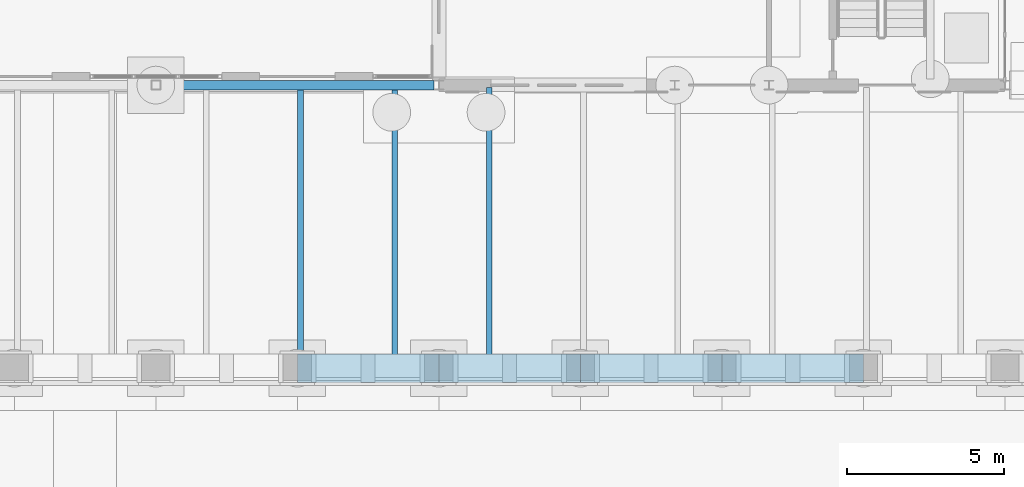
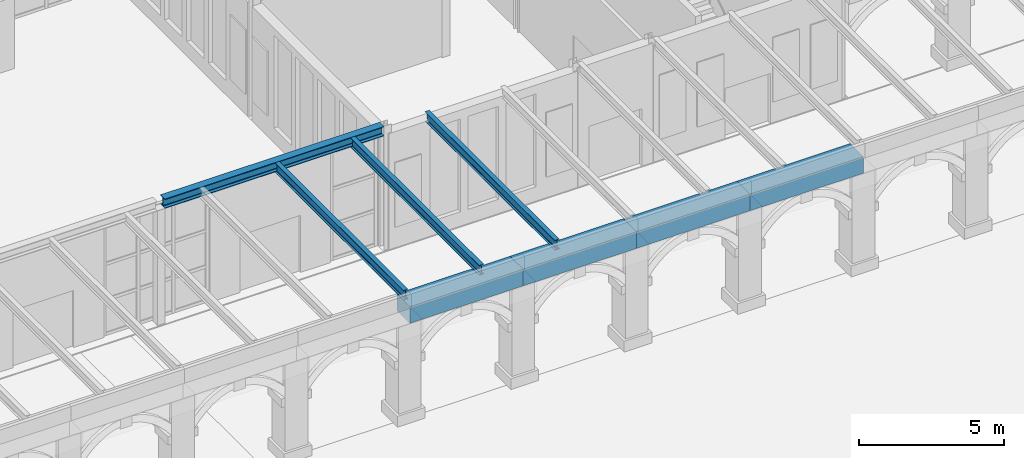
# One storey, part 43 of 168: 8 beams.
"""IFC4 building model written with IfcOpenShell, lengths in metres."""

import ifcopenshell
import ifcopenshell.guid

model = None  # the IFC model being written
_history = None  # IfcOwnerHistory: only IFC2X3 demands one
_inside = {}  # id of a spatial element -> (the spatial element, [elements in it])
_under = {}  # id of a project, library or spatial element -> (it, [spatial elements below it])
_declared = {}  # id of a project -> (the project, [libraries it declares])
_typed = {}  # id of a type object -> (the type object, [elements of that type])
_made_of = {}  # id of a material, layer set ... -> (it, [elements and type objects made of it])


def new_model(schema):
    """Start an empty IFC model of exactly this schema.

    Asked for "IFC4X3", IfcOpenShell would pick the latest addendum, in which some entities
    have other attributes; the version numbers below select the first issue.
    IFC2X3 requires an IfcOwnerHistory on every rooted entity: one is made here for all.
    """
    global model, _history
    if schema == "IFC4X3":
        model = ifcopenshell.file(schema_version=(4, 3, 0, 0))
    else:
        model = ifcopenshell.file(schema=schema)
    _inside.clear()
    _under.clear()
    _declared.clear()
    _typed.clear()
    _made_of.clear()
    _history = None
    if model.schema == "IFC2X3":
        org = make("IfcOrganization", Name="unknown")
        user = make(
            "IfcPersonAndOrganization",
            ThePerson=make("IfcPerson", FamilyName="unknown"),
            TheOrganization=org,
        )
        app = make(
            "IfcApplication",
            ApplicationDeveloper=org,
            Version="unknown",
            ApplicationFullName="unknown",
            ApplicationIdentifier="unknown",
        )
        _history = make(
            "IfcOwnerHistory",
            OwningUser=user,
            OwningApplication=app,
            ChangeAction="ADDED",
            CreationDate=0,
        )
    return model


def make(cls, **values):
    """One entity of the class cls with the attributes given. An attribute that is None is left unset."""
    return model.create_entity(
        cls, **{name: value for name, value in values.items() if value is not None}
    )


def rooted(cls, **values):
    """An entity with a GlobalId (a new one), such as an element, a storey or a relation."""
    return make(cls, GlobalId=ifcopenshell.guid.new(), OwnerHistory=_history, **values)


def si_unit(unit_type, name, prefix=None):
    """IfcSIUnit, for example si_unit("LENGTHUNIT", "METRE", prefix="MILLI")."""
    return make("IfcSIUnit", UnitType=unit_type, Prefix=prefix, Name=name)


def assignment(units):
    """IfcUnitAssignment: the units of a project."""
    return None if units is None else make("IfcUnitAssignment", Units=units)


def point(xyz):
    """IfcCartesianPoint."""
    return None if xyz is None else make("IfcCartesianPoint", Coordinates=xyz)


def direction(xyz):
    """IfcDirection."""
    return None if xyz is None else make("IfcDirection", DirectionRatios=xyz)


def frame(location, z_axis=None, x_axis=None):
    """IfcAxis2Placement3D, a coordinate frame: its origin and axes. An axis left out is left unset."""
    return make(
        "IfcAxis2Placement3D",
        Location=point(location),
        Axis=direction(z_axis),
        RefDirection=direction(x_axis),
    )


def frame_2d(location, x_axis=None):
    """IfcAxis2Placement2D, a coordinate frame in the plane: its origin and x axis."""
    return make(
        "IfcAxis2Placement2D", Location=point(location), RefDirection=direction(x_axis)
    )


def origin():
    """The frame at (0, 0, 0) with its axes left unset."""
    return frame((0.0, 0.0, 0.0))


def origin_2d():
    """The frame at (0, 0) in the plane with its x axis left unset."""
    return frame_2d((0.0, 0.0))


def place(relative_to, where):
    """IfcLocalPlacement: puts the frame where relative to a parent placement (None: the world)."""
    return make(
        "IfcLocalPlacement", PlacementRelTo=relative_to, RelativePlacement=where
    )


def context(
    kind, dimensions, precision=None, world=None, true_north=None, identifier=None
):
    """IfcGeometricRepresentationContext, for example the 3D "Model" context."""
    return make(
        "IfcGeometricRepresentationContext",
        ContextIdentifier=identifier,
        ContextType=kind,
        CoordinateSpaceDimension=dimensions,
        Precision=precision,
        WorldCoordinateSystem=world,
        TrueNorth=true_north,
    )


def subcontext(parent, identifier, kind, view, scale=None):
    """IfcGeometricRepresentationSubContext, for example "Body" below "Model"."""
    return make(
        "IfcGeometricRepresentationSubContext",
        ContextIdentifier=identifier,
        ContextType=kind,
        ParentContext=parent,
        TargetScale=scale,
        TargetView=view,
    )


def project(units=None, contexts=None):
    """IfcProject with its units and contexts."""
    return rooted(
        "IfcProject",
        Name="project",
        RepresentationContexts=contexts,
        UnitsInContext=assignment(units),
    )


def spatial(cls, under=None, at=None, **own):
    """A site, building, storey or space (cls), placed at a placement, below another one or the project."""
    s = rooted(cls, ObjectPlacement=at, **own)
    if under is not None:
        _under.setdefault(under.id(), (under, []))[1].append(s)
    return s


def profile(cls, at=None, kind="AREA", **sizes):
    """A parametric profile (cls). Its sizes go by their IFC names, for example OverallWidth=200.0."""
    return make(cls, ProfileType=kind, Position=at, **sizes)


def rectangle(**sizes):
    """IfcRectangleProfileDef."""
    return profile("IfcRectangleProfileDef", **sizes)


def i_section(**sizes):
    """IfcIShapeProfileDef."""
    return profile("IfcIShapeProfileDef", **sizes)


def extrude(swept, where, along, depth):
    """IfcExtrudedAreaSolid: the profile swept, set in the frame where, extruded along a direction by depth."""
    return make(
        "IfcExtrudedAreaSolid",
        SweptArea=swept,
        Position=where,
        ExtrudedDirection=direction(along),
        Depth=depth,
    )


def shape(context_of_items, identifier, shape_type, items):
    """IfcShapeRepresentation: the items that make up one representation, for example the "Body"."""
    return make(
        "IfcShapeRepresentation",
        ContextOfItems=context_of_items,
        RepresentationIdentifier=identifier,
        RepresentationType=shape_type,
        Items=items,
    )


def material(Name=None, Category=None):
    """IfcMaterial."""
    return make("IfcMaterial", Name=Name, Category=Category)


def material_profile(
    of_material, cross_section, Name=None, Category=None, Priority=None
):
    """IfcMaterialProfile: a cross section and its material."""
    return make(
        "IfcMaterialProfile",
        Name=Name,
        Material=of_material,
        Profile=cross_section,
        Priority=Priority,
        Category=Category,
    )


def profile_set(profiles, Name=None, composite=None):
    """IfcMaterialProfileSet."""
    return make(
        "IfcMaterialProfileSet",
        Name=Name,
        MaterialProfiles=profiles,
        CompositeProfile=composite,
    )


def made_of(thing, what):
    """Note that an element or type object is made of a material, layer set ...; save() writes the relation."""
    if what is not None:
        _made_of.setdefault(what.id(), (what, []))[1].append(thing)
    return thing


def type_object(cls, material=None, **own):
    """A type object (cls), such as IfcWallType, which elements share."""
    return made_of(rooted(cls, **own), material)


def element(
    cls,
    number,
    at=None,
    inside=None,
    cuts=None,
    type_object=None,
    material=None,
    context=None,
    identifier="Body",
    shape_type=None,
    held_by="IfcProductDefinitionShape",
    body=None,
    shapes=None,
    **own,
):
    """One element of the class cls, such as IfcWall. Its Tag is "e" and its number.

    at: its placement. inside: the storey or other place that contains it. cuts: it is an
    opening in that element (IfcRelVoidsElement). A single representation is given by context,
    identifier, shape_type and body (its items); several are given by shapes. held_by: the class
    of the entity that holds the representations. save() writes the other relations.
    """
    e = rooted(cls, Tag="e%d" % number, ObjectPlacement=at, **own)
    if body is not None:
        shapes = [shape(context, identifier, shape_type, body)]
    if shapes is not None:
        e.Representation = make(held_by, Representations=shapes)
    if inside is not None:
        _inside.setdefault(inside.id(), (inside, []))[1].append(e)
    if cuts is not None:
        rooted(
            "IfcRelVoidsElement", RelatingBuildingElement=cuts, RelatedOpeningElement=e
        )
    if type_object is not None:
        _typed.setdefault(type_object.id(), (type_object, []))[1].append(e)
    return made_of(e, material)


def aggregate(whole, parts):
    """IfcRelAggregates: a whole, such as a stair, and the parts it consists of."""
    return rooted("IfcRelAggregates", RelatingObject=whole, RelatedObjects=parts)


def save(model, path):
    """Write the relations noted so far, then the file.

    IfcRelAggregates (storeys below a building ...), IfcRelContainedInSpatialStructure (elements
    in a storey), IfcRelDefinesByType, IfcRelAssociatesMaterial and IfcRelDeclares: one each for
    every whole, place, type object, material and project.
    """
    for whole, parts in _under.values():
        aggregate(whole, parts)
    for where, things in _inside.values():
        rooted(
            "IfcRelContainedInSpatialStructure",
            RelatedElements=things,
            RelatingStructure=where,
        )
    for kind, things in _typed.values():
        rooted("IfcRelDefinesByType", RelatedObjects=things, RelatingType=kind)
    for what, things in _made_of.values():
        rooted("IfcRelAssociatesMaterial", RelatedObjects=things, RelatingMaterial=what)
    for by, libraries in _declared.values():
        rooted("IfcRelDeclares", RelatingContext=by, RelatedDefinitions=libraries)
    model.write(path)


model = new_model("IFC4")

# Units and contexts
model_context = context("Model", 3, precision=1e-05, world=origin(), true_north=direction((0.0, 1.0)))
body_context = subcontext(model_context, "Body", "Model", "MODEL_VIEW")
ifc_project = project(units=[si_unit("LENGTHUNIT", "METRE"), si_unit("AREAUNIT", "SQUARE_METRE"), si_unit("VOLUMEUNIT", "CUBIC_METRE"), si_unit("PLANEANGLEUNIT", "RADIAN"), si_unit("MASSUNIT", "GRAM", prefix="KILO")], contexts=[model_context])

# Site, building, storey
site_placement = place(None, origin())
site = spatial("IfcSite", under=ifc_project, at=site_placement, CompositionType="ELEMENT")
building_placement = place(site_placement, origin())
building = spatial("IfcBuilding", under=site, at=building_placement, Name="Golden Quay Civic Hall", CompositionType="ELEMENT")
storey_placement = place(building_placement, origin())
storey = spatial("IfcBuildingStorey", under=building, at=storey_placement, Name="L00", CompositionType="ELEMENT", Elevation=0.0)

# Beams
ifc_material_1 = material(Name="Concrete C40/50", Category="concrete")
ifc_material_profile_1 = material_profile(ifc_material_1, rectangle(XDim=0.89990234375, YDim=0.699951171875, at=origin_2d()), Name="RC 900x700")
ifc_profile_set_1 = profile_set([ifc_material_profile_1], Name="Concrete C40/50")
beam_type_1 = type_object("IfcBeamType", Name="Concrete spandrel beam RC 900x700", PredefinedType="SPANDREL", material=ifc_profile_set_1)
for number, where, z_axis, x_axis, name in (
    (1, (94.5, -9.0, 4.449951171875), (1.0, 0.0, 0.0), (0.0, 1.0, 0.0), "Spandrel beam outer bay 18"),
    (2, (99.0, -9.0, 4.449951171875), (1.0, 0.0, 0.0), (0.0, 1.0, 0.0), "Spandrel beam outer bay 19"),
    (3, (103.5, -9.0, 4.449951171875), (1.0, 0.0, 0.0), (0.0, 1.0, 0.0), "Spandrel beam outer bay 20"),
    (4, (108.0, -9.0, 4.449951171875), (1.0, 0.0, 0.0), (0.0, 1.0, 0.0), "Spandrel beam outer bay 21"),
):
    element("IfcBeam", number, at=place(storey_placement, frame(where, z_axis=z_axis, x_axis=x_axis)), inside=storey, type_object=beam_type_1, Name=name, PredefinedType="SPANDREL", context=body_context, shape_type="SweptSolid", body=[
        extrude(rectangle(XDim=0.89990234375, YDim=0.699951171875, at=origin_2d()), origin(), (0.0, 0.0, 1.0), 4.5),
    ])
ifc_material_2 = material(Name="Steel S355", Category="steel")
ifc_material_profile_2 = material_profile(ifc_material_2, i_section(OverallWidth=0.300048828125, OverallDepth=0.39990234375, WebThickness=0.013427734375, FlangeThickness=0.02392578125, FilletRadius=0.027099609375, at=origin_2d()), Name="HEB 400")
ifc_profile_set_2 = profile_set([ifc_material_profile_2], Name="Steel S355")
beam_type_2 = type_object("IfcBeamType", Name="Steel girder HEB 400", PredefinedType="BEAM", material=ifc_profile_set_2)
beam_1_placement = place(storey_placement, frame((90.14990234375, 0.0, 5.0), z_axis=(1.0, 0.0, 0.0), x_axis=(0.0, 1.0, 0.0)))
element("IfcBeam", 5, at=beam_1_placement, inside=storey, type_object=beam_type_2, Name="Entrance girder 3", PredefinedType="BEAM", context=body_context, shape_type="SweptSolid", body=[
    extrude(i_section(OverallWidth=0.300048828125, OverallDepth=0.39990234375, WebThickness=0.013427734375, FlangeThickness=0.02392578125, FilletRadius=0.027099609375, at=origin_2d()), origin(), (0.0, 0.0, 1.0), 8.7001953125),
])
ifc_material_3 = material(Name="Steel S355", Category="steel")
ifc_material_profile_3 = material_profile(ifc_material_3, i_section(OverallWidth=0.179931640625, OverallDepth=0.39990234375, WebThickness=0.008544921875, FlangeThickness=0.013427734375, FilletRadius=0.02099609375, at=origin_2d()), Name="IPE 400")
ifc_profile_set_3 = profile_set([ifc_material_profile_3], Name="Steel S355")
beam_type_3 = type_object("IfcBeamType", Name="Steel terrace beam IPE 400", PredefinedType="JOIST", material=ifc_profile_set_3)
for number, where, z_axis, x_axis, name in (
    (6, (94.60009765625, -9.0, 5.0), (0.0, 1.0, 0.0), (-1.0, 0.0, 0.0), "Terrace beam 25"),
    (7, (97.60009765625, -9.0, 5.0), (0.0, 1.0, 0.0), (-1.0, 0.0, 0.0), "Terrace beam 26"),
):
    element("IfcBeam", number, at=place(storey_placement, frame(where, z_axis=z_axis, x_axis=x_axis)), inside=storey, type_object=beam_type_3, Name=name, PredefinedType="JOIST", context=body_context, shape_type="SweptSolid", body=[
        extrude(i_section(OverallWidth=0.179931640625, OverallDepth=0.39990234375, WebThickness=0.008544921875, FlangeThickness=0.013427734375, FilletRadius=0.02099609375, at=origin_2d()), origin(), (0.0, 0.0, 1.0), 8.85009765625),
    ])
beam_2_placement = place(storey_placement, frame((100.60009765625, -9.0, 5.0), z_axis=(0.0, 1.0, 0.0), x_axis=(-1.0, 0.0, 0.0)))
element("IfcBeam", 8, at=beam_2_placement, inside=storey, type_object=beam_type_3, Name="Terrace beam 27", PredefinedType="JOIST", context=body_context, shape_type="SweptSolid", body=[
    extrude(i_section(OverallWidth=0.179931640625, OverallDepth=0.39990234375, WebThickness=0.008544921875, FlangeThickness=0.013427734375, FilletRadius=0.02099609375, at=origin_2d()), origin(), (0.0, 0.0, 1.0), 8.919921875),
])

save(model, "model.ifc")
